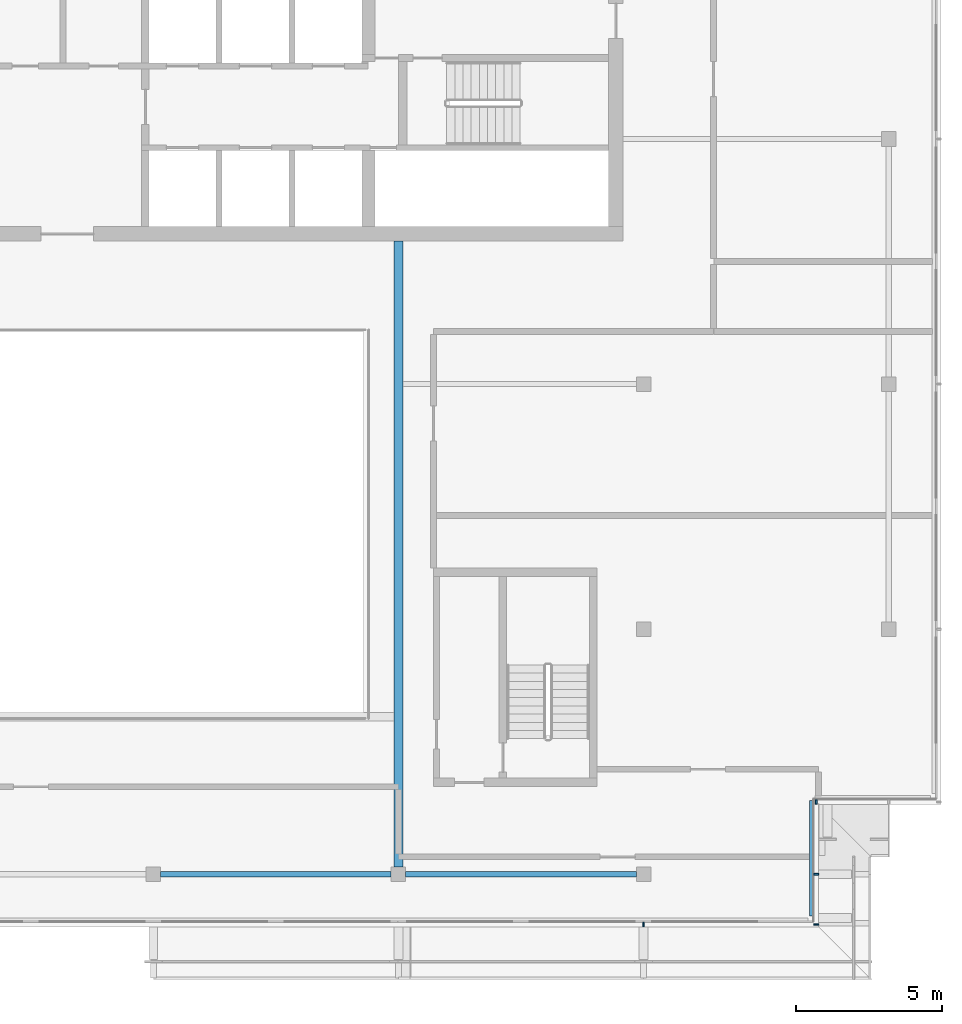
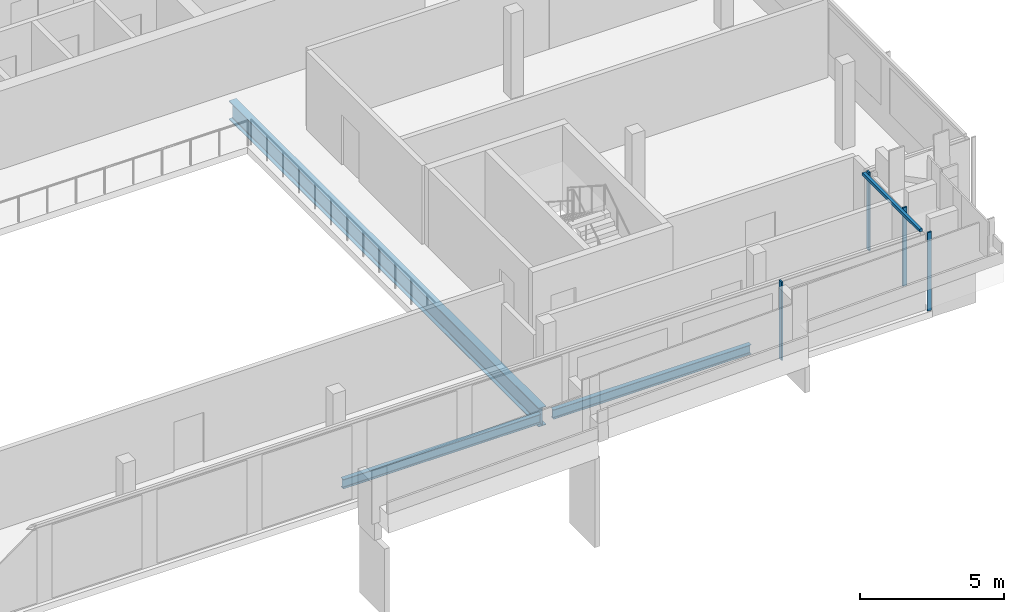
# One storey, part 5 of 21: 5 members, 3 beams, 3 elements without a shape of their own.
"""IFC4 building model written with IfcOpenShell, lengths in metres."""

from ifc_helpers import new_model, si_unit, direction, frame, origin, origin_2d, place, context, subcontext, project, spatial, rectangle, i_section, extrude, material, material_profile, profile_set, type_object, element, aggregate, save


model = new_model("IFC4")

# Units and contexts
model_context = context("Model", 3, precision=1e-05, world=origin(), true_north=direction((0.0, 1.0)))
body_context = subcontext(model_context, "Body", "Model", "MODEL_VIEW")
ifc_project = project(units=[si_unit("LENGTHUNIT", "METRE"), si_unit("AREAUNIT", "SQUARE_METRE"), si_unit("VOLUMEUNIT", "CUBIC_METRE"), si_unit("PLANEANGLEUNIT", "RADIAN"), si_unit("MASSUNIT", "GRAM", prefix="KILO")], contexts=[model_context])

# Site, building, storey
site_placement = place(None, origin())
site = spatial("IfcSite", under=ifc_project, at=site_placement, CompositionType="ELEMENT")
building_placement = place(site_placement, origin())
building = spatial("IfcBuilding", under=site, at=building_placement, Name="Saffron Gate Tower", CompositionType="ELEMENT")
storey_placement = place(building_placement, frame((0.0, 0.0, 299.550048828125)))
storey = spatial("IfcBuildingStorey", under=building, at=storey_placement, Name="L73", CompositionType="ELEMENT", Elevation=299.550048828125)

# Beams
ifc_material_1 = material(Name="Structural steel S355", Category="steel")
ifc_material_profile_1 = material_profile(ifc_material_1, i_section(OverallWidth=0.300048828125, OverallDepth=0.7900390625, WebThickness=0.014892578125, FlangeThickness=0.028076171875, FilletRadius=0.030029296875, at=origin_2d()))
ifc_profile_set_1 = profile_set([ifc_material_profile_1], Name="Structural steel S355")
beam_type_1 = type_object("IfcBeamType", Name="B18 HEA 800", PredefinedType="BEAM", material=ifc_profile_set_1)
beam_1_placement = place(storey_placement, frame((100.199951171875, 40.449951171875, -0.675048828125), z_axis=(0.0, 1.0, 0.0), x_axis=(-1.0, 0.0, 0.0)))
element("IfcBeam", 1, at=beam_1_placement, inside=storey, type_object=beam_type_1, Name="B18 ATRIUM GIRDER", PredefinedType="BEAM", context=body_context, shape_type="SweptSolid", body=[
    extrude(i_section(OverallWidth=0.300048828125, OverallDepth=0.7900390625, WebThickness=0.014892578125, FlangeThickness=0.028076171875, FilletRadius=0.030029296875, at=origin_2d()), origin(), (0.0, 0.0, 1.0), 21.449951171875),
])
ifc_material_profile_2 = material_profile(ifc_material_1, i_section(OverallWidth=0.179931640625, OverallDepth=0.39990234375, WebThickness=0.008544921875, FlangeThickness=0.013427734375, FilletRadius=0.02099609375, at=origin_2d()))
ifc_profile_set_2 = profile_set([ifc_material_profile_2], Name="Structural steel S355")
beam_type_2 = type_object("IfcBeamType", Name="B5 IPE 400", PredefinedType="SPANDREL", material=ifc_profile_set_2)
beam_2_placement = place(storey_placement, frame((92.050048828125, 40.199951171875, -0.47998046875), z_axis=(1.0, 0.0, 0.0), x_axis=(0.0, 1.0, 0.0)))
element("IfcBeam", 2, at=beam_2_placement, inside=storey, type_object=beam_type_2, Name="B5 SPANDREL BEAM", PredefinedType="SPANDREL", context=body_context, shape_type="SweptSolid", body=[
    extrude(i_section(OverallWidth=0.179931640625, OverallDepth=0.39990234375, WebThickness=0.008544921875, FlangeThickness=0.013427734375, FilletRadius=0.02099609375, at=origin_2d()), origin(), (0.0, 0.0, 1.0), 7.89990234375),
])
beam_3_placement = place(storey_placement, frame((100.449951171875, 40.199951171875, -0.47998046875), z_axis=(1.0, 0.0, 0.0), x_axis=(0.0, 1.0, 0.0)))
element("IfcBeam", 3, at=beam_3_placement, inside=storey, type_object=beam_type_2, Name="B5 SPANDREL BEAM", PredefinedType="SPANDREL", context=body_context, shape_type="SweptSolid", body=[
    extrude(i_section(OverallWidth=0.179931640625, OverallDepth=0.39990234375, WebThickness=0.008544921875, FlangeThickness=0.013427734375, FilletRadius=0.02099609375, at=origin_2d()), origin(), (0.0, 0.0, 1.0), 7.900146484375),
])

# Curtain wall, member
ifc_material_2 = material(Name="Aluminium, bronze anodised", Category="aluminium")
curtain_wall_type_1 = type_object("IfcCurtainWallType", Name="CWS1 curtain wall front facade", PredefinedType="NOTDEFINED", material=ifc_material_2)
curtain_wall_1_placement = place(storey_placement, origin())
curtain_wall_1 = element("IfcCurtainWall", 4, at=curtain_wall_1_placement, inside=storey, type_object=curtain_wall_type_1, Name="CWS1 run 1", PredefinedType="NOTDEFINED")
ifc_material_profile_3 = material_profile(ifc_material_2, rectangle(XDim=0.159912109375, YDim=0.06005859375, at=origin_2d()))
ifc_profile_set_3 = profile_set([ifc_material_profile_3], Name="Aluminium, bronze anodised")
member_type_1 = type_object("IfcMemberType", Name="CWS1 mullion 60x160", PredefinedType="MULLION", material=ifc_profile_set_3)
member_1_placement = place(storey_placement, frame((108.60009765625, 38.47998046875, 0.0), z_axis=(0.0, 0.0, 1.0), x_axis=(0.0, 1.0, 0.0)))
member_1 = element("IfcMember", 5, at=member_1_placement, type_object=member_type_1, Name="CWS1 mullion 7", PredefinedType="MULLION", context=body_context, shape_type="SweptSolid", body=[
    extrude(rectangle(XDim=0.159912109375, YDim=0.06005859375, at=origin_2d()), origin(), (0.0, 0.0, 1.0), 3.320068359375),
])
aggregate(curtain_wall_1, [member_1])

# Curtain wall, members
curtain_wall_type_2 = type_object("IfcCurtainWallType", Name="CWS4 curtain wall corner returns", PredefinedType="NOTDEFINED", material=ifc_material_2)
curtain_wall_2_placement = place(storey_placement, origin())
curtain_wall_2 = element("IfcCurtainWall", 6, at=curtain_wall_2_placement, inside=storey, type_object=curtain_wall_type_2, Name="CWS4 run 2", PredefinedType="NOTDEFINED")
ifc_material_profile_4 = material_profile(ifc_material_2, rectangle(XDim=0.1201171875, YDim=0.1201171875, at=origin_2d()))
ifc_profile_set_4 = profile_set([ifc_material_profile_4], Name="Aluminium, bronze anodised")
member_type_2 = type_object("IfcMemberType", Name="CWS4 head transom", PredefinedType="USERDEFINED", material=ifc_profile_set_4)
member_2_placement = place(storey_placement, frame((114.35205078125, 38.76806640625, 3.260009765625), z_axis=(0.0, 1.0, 0.0), x_axis=(-1.0, 0.0, 0.0)))
member_2 = element("IfcMember", 7, at=member_2_placement, type_object=member_type_2, Name="CWS4 head transom", ObjectType="TRANSOM", PredefinedType="USERDEFINED", context=body_context, shape_type="SweptSolid", body=[
    extrude(rectangle(XDim=0.1201171875, YDim=0.1201171875, at=origin_2d()), origin(), (0.0, 0.0, 1.0), 3.9599609375),
])
ifc_material_profile_5 = material_profile(ifc_material_2, rectangle(XDim=0.159912109375, YDim=0.06005859375, at=origin_2d()))
ifc_profile_set_5 = profile_set([ifc_material_profile_5], Name="Aluminium, bronze anodised")
member_type_3 = type_object("IfcMemberType", Name="CWS4 mullion 60x160", PredefinedType="MULLION", material=ifc_profile_set_5)
member_3_placement = place(storey_placement, frame((114.52001953125, 38.47998046875, 0.0), z_axis=(0.0, 0.0, 1.0), x_axis=(-1.0, 0.0, 0.0)))
member_3 = element("IfcMember", 8, at=member_3_placement, type_object=member_type_3, Name="CWS4 mullion 1", PredefinedType="MULLION", context=body_context, shape_type="SweptSolid", body=[
    extrude(rectangle(XDim=0.159912109375, YDim=0.06005859375, at=origin_2d()), origin(), (0.0, 0.0, 1.0), 3.320068359375),
])
member_4_placement = place(storey_placement, frame((114.52001953125, 40.199951171875, 0.0), z_axis=(0.0, 0.0, 1.0), x_axis=(-1.0, 0.0, 0.0)))
member_4 = element("IfcMember", 9, at=member_4_placement, type_object=member_type_3, Name="CWS4 mullion 2", PredefinedType="MULLION", context=body_context, shape_type="SweptSolid", body=[
    extrude(rectangle(XDim=0.159912109375, YDim=0.06005859375, at=origin_2d()), origin(), (0.0, 0.0, 1.0), 3.320068359375),
])
aggregate(curtain_wall_2, [member_3, member_4, member_2])

# Curtain wall, member
curtain_wall_3_placement = place(storey_placement, origin())
curtain_wall_3 = element("IfcCurtainWall", 10, at=curtain_wall_3_placement, inside=storey, type_object=curtain_wall_type_2, Name="CWS4 run 3", PredefinedType="NOTDEFINED")
member_5_placement = place(storey_placement, frame((114.52001953125, 42.679931640625, 0.0), z_axis=(0.0, 0.0, 1.0), x_axis=(0.0, 1.0, 0.0)))
member_5 = element("IfcMember", 11, at=member_5_placement, type_object=member_type_3, Name="CWS4 mullion 1", PredefinedType="MULLION", context=body_context, shape_type="SweptSolid", body=[
    extrude(rectangle(XDim=0.159912109375, YDim=0.06005859375, at=origin_2d()), origin(), (0.0, 0.0, 1.0), 3.320068359375),
])
aggregate(curtain_wall_3, [member_5])

save(model, "model.ifc")
